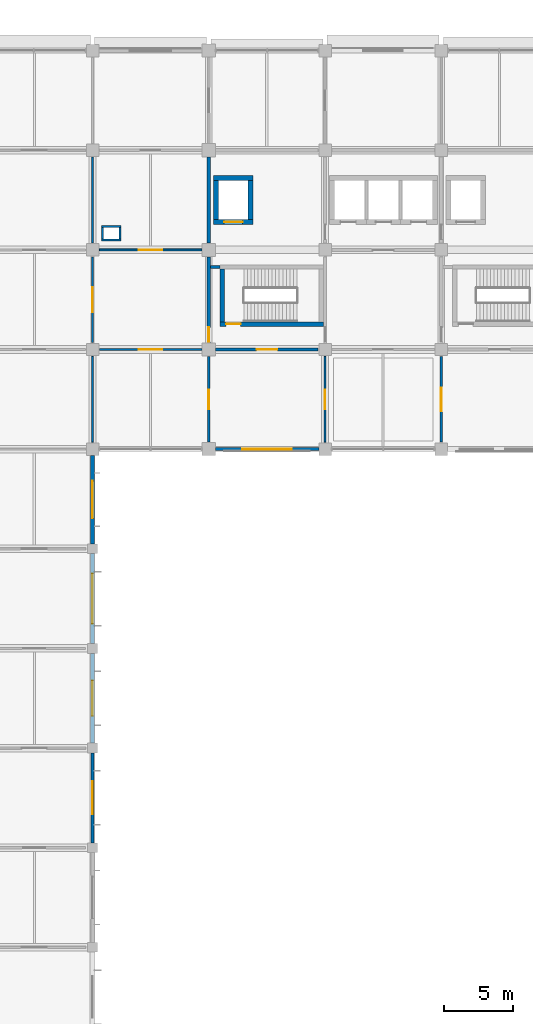
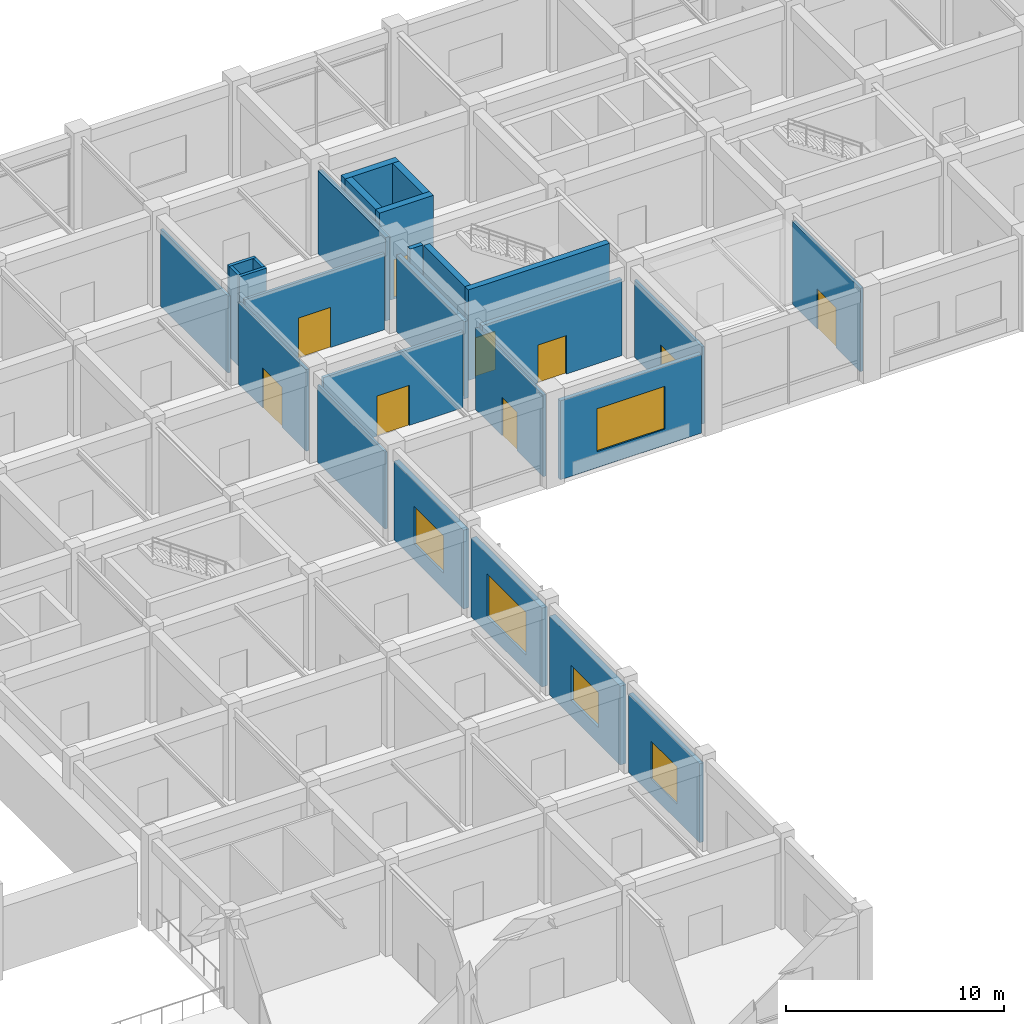
# One storey, part 23 of 41: 27 walls, 10 doors, 5 windows, 15 openings.
"""IFC4 building model written with IfcOpenShell, lengths in metres."""

from ifc_helpers import new_model, si_unit, derived_unit, direction, frame, frame_2d, origin, place, context, subcontext, project, spatial, rectangle, extrude, material, layer, layer_set, type_object, element, fill, save


model = new_model("IFC4")

# Units and contexts
model_context = context("Model", 3, precision=1e-05, world=origin(), true_north=direction((0.0, 1.0)))
body_context = subcontext(model_context, "Body", "Model", "MODEL_VIEW")
ifc_project = project(units=[si_unit("LENGTHUNIT", "METRE"), si_unit("AREAUNIT", "SQUARE_METRE"), si_unit("VOLUMEUNIT", "CUBIC_METRE"), si_unit("PLANEANGLEUNIT", "RADIAN"), si_unit("MASSUNIT", "GRAM", prefix="KILO"), derived_unit("THERMALTRANSMITTANCEUNIT", [(si_unit("MASSUNIT", "GRAM", prefix="KILO"), 1), (si_unit("TIMEUNIT", "SECOND"), -3), (si_unit("THERMODYNAMICTEMPERATUREUNIT", "KELVIN"), -1)])], contexts=[model_context])

# Site, building, storey
site_placement = place(None, origin())
site = spatial("IfcSite", under=ifc_project, at=site_placement, CompositionType="ELEMENT")
building_placement = place(site_placement, origin())
building = spatial("IfcBuilding", under=site, at=building_placement, Name="Veldstrom Oceanarium and Marine Research Institute", CompositionType="ELEMENT")
storey_placement = place(building_placement, frame((0.0, 0.0, 6.0)))
storey = spatial("IfcBuildingStorey", under=building, at=storey_placement, Name="L01", CompositionType="ELEMENT", Elevation=6.0)

# Wall, opening, window
ifc_material_1 = material(Name="Masonry Cavity Wall", Category="masonry")
ifc_layer_1 = layer(ifc_material_1, 0.31005859375)
ifc_layer_set_1 = layer_set([ifc_layer_1], Name="ARC-WAL-EW1")
wall_type_1 = type_object("IfcWallType", Name="ARC-WAL-EW1", PredefinedType="SOLIDWALL", material=ifc_layer_set_1)
wall_1_placement = place(storey_placement, frame((67.199951171875, 21.949951171875, 0.0), z_axis=(0.0, 0.0, 1.0), x_axis=(0.0, 1.0, 0.0)))
wall_1 = element("IfcWall", 1, at=wall_1_placement, inside=storey, type_object=wall_type_1, Name="Exterior Facade Wall EW1 L01-087", PredefinedType="SOLIDWALL", context=body_context, shape_type="SweptSolid", body=[
    extrude(rectangle(XDim=6.5, YDim=0.31005859375, at=frame_2d((3.25, 0.0))), origin(), (0.0, 0.0, 1.0), 4.419921875),
])
opening_1_placement = place(wall_1_placement, frame((1.97509765625, 0.0, 0.89990234375)))
opening_1 = element("IfcOpeningElement", 2, at=opening_1_placement, cuts=wall_1, Name="Opening W20", PredefinedType="OPENING", context=body_context, shape_type="SweptSolid", body=[
    extrude(rectangle(XDim=2.550048828125, YDim=1.949951171875, at=frame_2d((1.27490234375, 0.97509765625))), frame((0.0, 0.1650390625, 0.0), z_axis=(0.0, -1.0, 0.0), x_axis=(1.0, 0.0, 0.0)), (0.0, 0.0, 1.0), 0.330078125),
])
ifc_material_2 = material(Name="Double Glazed Low-E IGU", Category="glass")
window_type_1 = type_object("IfcWindowType", Name="ARC-WIN-W20", PartitioningType="SINGLE_PANEL", PredefinedType="WINDOW", material=ifc_material_2)
window_1_placement = place(opening_1_placement, origin())
window_1 = element("IfcWindow", 3, at=window_1_placement, inside=storey, type_object=window_type_1, Name="Facade Window W20 L01-0056", OverallHeight=1.949951171875, OverallWidth=2.550048828125, PartitioningType="SINGLE_PANEL", PredefinedType="WINDOW", context=body_context, shape_type="SweptSolid", body=[
    extrude(rectangle(XDim=2.550048828125, YDim=1.949951171875, at=frame_2d((1.27490234375, 0.97509765625))), frame((0.0, 0.030029296875, 0.0), z_axis=(0.0, -1.0, 0.0), x_axis=(1.0, 0.0, 0.0)), (0.0, 0.0, 1.0), 0.06005859375),
])
fill(opening_1, window_1)

ifc_material_3 = material(Name="Masonry Cavity Wall", Category="masonry")
ifc_layer_2 = layer(ifc_material_3, 0.2900390625)
ifc_layer_set_2 = layer_set([ifc_layer_2], Name="ARC-WAL-EW2")
wall_type_2 = type_object("IfcWallType", Name="ARC-WAL-EW2", PredefinedType="SOLIDWALL", material=ifc_layer_set_2)
wall_2_placement = place(storey_placement, frame((67.199951171875, 29.14990234375, 0.0), z_axis=(0.0, 0.0, 1.0), x_axis=(0.0, 1.0, 0.0)))
wall_2 = element("IfcWall", 4, at=wall_2_placement, inside=storey, type_object=wall_type_2, Name="Exterior Facade Wall EW2 L01-088", PredefinedType="SOLIDWALL", context=body_context, shape_type="SweptSolid", body=[
    extrude(rectangle(XDim=6.5, YDim=0.2900390625, at=frame_2d((3.25, 0.0))), origin(), (0.0, 0.0, 1.0), 4.419921875),
])
opening_2_placement = place(wall_2_placement, frame((1.449951171875, 0.0, 0.89990234375)))
opening_2 = element("IfcOpeningElement", 5, at=opening_2_placement, cuts=wall_2, Name="Opening W11", PredefinedType="OPENING", context=body_context, shape_type="SweptSolid", body=[
    extrude(rectangle(XDim=3.60009765625, YDim=2.39990234375, at=frame_2d((1.800048828125, 1.199951171875))), frame((0.0, 0.155029296875, 0.0), z_axis=(0.0, -1.0, 0.0), x_axis=(1.0, 0.0, 0.0)), (0.0, 0.0, 1.0), 0.31005859375),
])
ifc_material_4 = material(Name="Double Glazed Low-E IGU", Category="glass")
window_type_2 = type_object("IfcWindowType", Name="ARC-WIN-W11", PartitioningType="SINGLE_PANEL", PredefinedType="WINDOW", material=ifc_material_4)
window_2_placement = place(opening_2_placement, origin())
window_2 = element("IfcWindow", 6, at=window_2_placement, inside=storey, type_object=window_type_2, Name="Facade Window W11 L01-0057", OverallHeight=2.39990234375, OverallWidth=3.60009765625, PartitioningType="SINGLE_PANEL", PredefinedType="WINDOW", context=body_context, shape_type="SweptSolid", body=[
    extrude(rectangle(XDim=3.60009765625, YDim=2.39990234375, at=frame_2d((1.800048828125, 1.199951171875))), frame((0.0, 0.030029296875, 0.0), z_axis=(0.0, -1.0, 0.0), x_axis=(1.0, 0.0, 0.0)), (0.0, 0.0, 1.0), 0.06005859375),
])
fill(opening_2, window_2)

ifc_material_5 = material(Name="Masonry Cavity Wall", Category="masonry")
ifc_layer_3 = layer(ifc_material_5, 0.27001953125)
ifc_layer_set_3 = layer_set([ifc_layer_3], Name="ARC-WAL-EW3")
wall_type_3 = type_object("IfcWallType", Name="ARC-WAL-EW3", PredefinedType="SOLIDWALL", material=ifc_layer_set_3)
wall_3_placement = place(storey_placement, frame((67.199951171875, 36.35009765625, 0.0), z_axis=(0.0, 0.0, 1.0), x_axis=(0.0, 1.0, 0.0)))
wall_3 = element("IfcWall", 7, at=wall_3_placement, inside=storey, type_object=wall_type_3, Name="Exterior Facade Wall EW3 L01-089", PredefinedType="SOLIDWALL", context=body_context, shape_type="SweptSolid", body=[
    extrude(rectangle(XDim=6.39990234375, YDim=0.27001953125, at=frame_2d((3.199951171875, 0.0))), origin(), (0.0, 0.0, 1.0), 4.419921875),
])
opening_3_placement = place(wall_3_placement, frame((1.85009765625, 0.0, 0.89990234375)))
opening_3 = element("IfcOpeningElement", 8, at=opening_3_placement, cuts=wall_3, Name="Opening W08", PredefinedType="OPENING", context=body_context, shape_type="SweptSolid", body=[
    extrude(rectangle(XDim=2.699951171875, YDim=2.10009765625, at=frame_2d((1.35009765625, 1.050048828125))), frame((0.0, 0.14501953125, 0.0), z_axis=(0.0, -1.0, 0.0), x_axis=(1.0, 0.0, 0.0)), (0.0, 0.0, 1.0), 0.2900390625),
])
ifc_material_6 = material(Name="Double Glazed Low-E IGU", Category="glass")
window_type_3 = type_object("IfcWindowType", Name="ARC-WIN-W08", PartitioningType="SINGLE_PANEL", PredefinedType="WINDOW", material=ifc_material_6)
window_3_placement = place(opening_3_placement, origin())
window_3 = element("IfcWindow", 9, at=window_3_placement, inside=storey, type_object=window_type_3, Name="Facade Window W08 L01-0058", OverallHeight=2.10009765625, OverallWidth=2.699951171875, PartitioningType="SINGLE_PANEL", PredefinedType="WINDOW", context=body_context, shape_type="SweptSolid", body=[
    extrude(rectangle(XDim=2.699951171875, YDim=2.10009765625, at=frame_2d((1.35009765625, 1.050048828125))), frame((0.0, 0.030029296875, 0.0), z_axis=(0.0, -1.0, 0.0), x_axis=(1.0, 0.0, 0.0)), (0.0, 0.0, 1.0), 0.06005859375),
])
fill(opening_3, window_3)

ifc_material_7 = material(Name="Masonry Cavity Wall", Category="masonry")
ifc_layer_4 = layer(ifc_material_7, 0.215087890625)
ifc_layer_set_4 = layer_set([ifc_layer_4], Name="ARC-WAL-EW6")
wall_type_4 = type_object("IfcWallType", Name="ARC-WAL-EW6", PredefinedType="SOLIDWALL", material=ifc_layer_set_4)
wall_4_placement = place(storey_placement, frame((67.199951171875, 14.75, 0.0), z_axis=(0.0, 0.0, 1.0), x_axis=(0.0, 1.0, 0.0)))
wall_4 = element("IfcWall", 10, at=wall_4_placement, inside=storey, type_object=wall_type_4, Name="Exterior Facade Wall EW6 L01-086", PredefinedType="SOLIDWALL", context=body_context, shape_type="SweptSolid", body=[
    extrude(rectangle(XDim=6.5, YDim=0.215087890625, at=frame_2d((3.25, 0.0))), origin(), (0.0, 0.0, 1.0), 4.419921875),
])
opening_4_placement = place(wall_4_placement, frame((2.050048828125, 0.0, 0.89990234375)))
opening_4 = element("IfcOpeningElement", 11, at=opening_4_placement, cuts=wall_4, Name="Opening W09", PredefinedType="OPENING", context=body_context, shape_type="SweptSolid", body=[
    extrude(rectangle(XDim=2.39990234375, YDim=2.10009765625, at=frame_2d((1.199951171875, 1.050048828125))), frame((0.0, 0.117431640625, 0.0), z_axis=(0.0, -1.0, 0.0), x_axis=(1.0, 0.0, 0.0)), (0.0, 0.0, 1.0), 0.235107421875),
])
ifc_material_8 = material(Name="Double Glazed Low-E IGU", Category="glass")
window_type_4 = type_object("IfcWindowType", Name="ARC-WIN-W09", PartitioningType="SINGLE_PANEL", PredefinedType="WINDOW", material=ifc_material_8)
window_4_placement = place(opening_4_placement, origin())
window_4 = element("IfcWindow", 12, at=window_4_placement, inside=storey, type_object=window_type_4, Name="Facade Window W09 L01-0055", OverallHeight=2.10009765625, OverallWidth=2.39990234375, PartitioningType="SINGLE_PANEL", PredefinedType="WINDOW", context=body_context, shape_type="SweptSolid", body=[
    extrude(rectangle(XDim=2.39990234375, YDim=2.10009765625, at=frame_2d((1.199951171875, 1.050048828125))), frame((0.0, 0.030029296875, 0.0), z_axis=(0.0, -1.0, 0.0), x_axis=(1.0, 0.0, 0.0)), (0.0, 0.0, 1.0), 0.06005859375),
])
fill(opening_4, window_4)

wall_5_placement = place(storey_placement, frame((76.074951171875, 43.199951171875, 0.0), z_axis=(0.0, 0.0, 1.0), x_axis=(1.0, 0.0, 0.0)))
wall_5 = element("IfcWall", 13, at=wall_5_placement, inside=storey, type_object=wall_type_4, Name="Exterior Facade Wall EW6 L01-091", PredefinedType="SOLIDWALL", context=body_context, shape_type="SweptSolid", body=[
    extrude(rectangle(XDim=7.47509765625, YDim=0.215087890625, at=frame_2d((3.737548828125, 0.0))), origin(), (0.0, 0.0, 1.0), 4.419921875),
])
opening_5_placement = place(wall_5_placement, frame((1.9375, 0.0, 0.89990234375)))
opening_5 = element("IfcOpeningElement", 14, at=opening_5_placement, cuts=wall_5, Name="Opening W11", PredefinedType="OPENING", context=body_context, shape_type="SweptSolid", body=[
    extrude(rectangle(XDim=3.60009765625, YDim=2.39990234375, at=frame_2d((1.800048828125, 1.199951171875))), frame((0.0, 0.117431640625, 0.0), z_axis=(0.0, -1.0, 0.0), x_axis=(1.0, 0.0, 0.0)), (0.0, 0.0, 1.0), 0.235107421875),
])
window_5_placement = place(opening_5_placement, origin())
window_5 = element("IfcWindow", 15, at=window_5_placement, inside=storey, type_object=window_type_2, Name="Facade Window W11 L01-0060", OverallHeight=2.39990234375, OverallWidth=3.60009765625, PartitioningType="SINGLE_PANEL", PredefinedType="WINDOW", context=body_context, shape_type="SweptSolid", body=[
    extrude(rectangle(XDim=3.60009765625, YDim=2.39990234375, at=frame_2d((1.800048828125, 1.199951171875))), frame((0.0, 0.030029296875, 0.0), z_axis=(0.0, -1.0, 0.0), x_axis=(1.0, 0.0, 0.0)), (0.0, 0.0, 1.0), 0.06005859375),
])
fill(opening_5, window_5)

# Wall, opening, door
ifc_material_9 = material(Name="Masonry Fire Compartment Wall", Category="masonry")
ifc_layer_5 = layer(ifc_material_9, 0.22998046875)
ifc_layer_set_5 = layer_set([ifc_layer_5], Name="ARC-WAL-PT1")
wall_type_5 = type_object("IfcWallType", Name="ARC-WAL-PT1", PredefinedType="PARTITIONING", material=ifc_layer_set_5)
wall_6_placement = place(storey_placement, frame((75.60009765625, 50.89990234375, 0.0), z_axis=(0.0, 0.0, 1.0), x_axis=(0.0, 1.0, 0.0)))
wall_6 = element("IfcWall", 16, at=wall_6_placement, inside=storey, type_object=wall_type_5, Name="Interior Partition PT1 L01-0945", PredefinedType="PARTITIONING", context=body_context, shape_type="SweptSolid", body=[
    extrude(rectangle(XDim=6.2001953125, YDim=0.22998046875, at=frame_2d((3.10009765625, 0.0))), origin(), (0.0, 0.0, 1.0), 4.320068359375),
])
opening_6_placement = place(wall_6_placement, frame((0.050048828125, 0.0, 0.0)))
opening_6 = element("IfcOpeningElement", 17, at=opening_6_placement, cuts=wall_6, Name="Opening D-L01-547", PredefinedType="OPENING", context=body_context, shape_type="SweptSolid", body=[
    extrude(rectangle(XDim=1.050048828125, YDim=2.14990234375, at=frame_2d((0.52490234375, 1.074951171875))), frame((0.0, 0.125, 0.0), z_axis=(0.0, -1.0, 0.0), x_axis=(1.0, 0.0, 0.0)), (0.0, 0.0, 1.0), 0.25),
])
ifc_material_10 = material(Name="Painted Steel Fire Door", Category="steel")
door_type_1 = type_object("IfcDoorType", Name="ARC-DOR-SD1", OperationType="SINGLE_SWING_LEFT", PredefinedType="DOOR", material=ifc_material_10)
door_1_placement = place(opening_6_placement, origin())
door_1 = element("IfcDoor", 18, at=door_1_placement, inside=storey, type_object=door_type_1, Name="Interior Door D-L01-547", OperationType="SINGLE_SWING_LEFT", OverallHeight=2.14990234375, OverallWidth=1.050048828125, PredefinedType="DOOR", context=body_context, shape_type="SweptSolid", body=[
    extrude(rectangle(XDim=1.050048828125, YDim=2.14990234375, at=frame_2d((0.52490234375, 1.074951171875))), frame((0.0, 0.02490234375, 0.0), z_axis=(0.0, -1.0, 0.0), x_axis=(1.0, 0.0, 0.0)), (0.0, 0.0, 1.0), 0.050048828125),
])
fill(opening_6, door_1)

# Wall
wall_7_placement = place(storey_placement, frame((75.60009765625, 58.10009765625, 0.0), z_axis=(0.0, 0.0, 1.0), x_axis=(0.0, 1.0, 0.0)))
element("IfcWall", 19, at=wall_7_placement, inside=storey, type_object=wall_type_5, Name="Interior Partition PT1 L01-0947", PredefinedType="PARTITIONING", context=body_context, shape_type="SweptSolid", body=[
    extrude(rectangle(XDim=6.199951171875, YDim=0.22998046875, at=frame_2d((3.10009765625, 0.0))), origin(), (0.0, 0.0, 1.0), 4.669921875),
])

# Wall, opening, door
wall_8_placement = place(storey_placement, frame((76.10009765625, 50.39990234375, 0.0), z_axis=(0.0, 0.0, 1.0), x_axis=(1.0, 0.0, 0.0)))
wall_8 = element("IfcWall", 20, at=wall_8_placement, inside=storey, type_object=wall_type_5, Name="Interior Partition PT1 L01-0951", PredefinedType="PARTITIONING", context=body_context, shape_type="SweptSolid", body=[
    extrude(rectangle(XDim=7.39990234375, YDim=0.22998046875, at=frame_2d((3.699951171875, 0.0))), origin(), (0.0, 0.0, 1.0), 4.27001953125),
])
opening_7_placement = place(wall_8_placement, frame((2.949951171875, 0.0, 0.0)))
opening_7 = element("IfcOpeningElement", 21, at=opening_7_placement, cuts=wall_8, Name="Opening D-L01-552", PredefinedType="OPENING", context=body_context, shape_type="SweptSolid", body=[
    extrude(rectangle(XDim=1.5, YDim=2.14990234375, at=frame_2d((0.75, 1.074951171875))), frame((0.0, 0.125, 0.0), z_axis=(0.0, -1.0, 0.0), x_axis=(1.0, 0.0, 0.0)), (0.0, 0.0, 1.0), 0.25),
])
ifc_material_11 = material(Name="Painted Steel Lobby Fire Door", Category="steel")
door_type_2 = type_object("IfcDoorType", Name="ARC-DOR-SD2", OperationType="DOUBLE_DOOR_SINGLE_SWING", PredefinedType="DOOR", material=ifc_material_11)
door_2_placement = place(opening_7_placement, frame((1.5, 0.0, 0.0), z_axis=(0.0, 0.0, 1.0), x_axis=(-1.0, 0.0, 0.0)))
door_2 = element("IfcDoor", 22, at=door_2_placement, inside=storey, type_object=door_type_2, Name="Interior Door D-L01-552", OperationType="DOUBLE_DOOR_SINGLE_SWING", OverallHeight=2.14990234375, OverallWidth=1.5, PredefinedType="DOOR", context=body_context, shape_type="SweptSolid", body=[
    extrude(rectangle(XDim=1.5, YDim=2.14990234375, at=frame_2d((0.75, 1.074951171875))), frame((0.0, 0.02490234375, 0.0), z_axis=(0.0, -1.0, 0.0), x_axis=(1.0, 0.0, 0.0)), (0.0, 0.0, 1.0), 0.050048828125),
])
fill(opening_7, door_2)

# Wall
wall_9_placement = place(storey_placement, frame((75.719970703125, 56.360107421875, 0.0), z_axis=(0.0, 0.0, 1.0), x_axis=(1.0, 0.0, 0.0)))
element("IfcWall", 23, at=wall_9_placement, inside=storey, type_object=wall_type_5, Name="Interior Partition PT1 L01-0953", PredefinedType="PARTITIONING", context=body_context, shape_type="SweptSolid", body=[
    extrude(rectangle(XDim=0.679931640625, YDim=0.22998046875, at=frame_2d((0.33984375, 0.0))), origin(), (0.0, 0.0, 1.0), 5.074951171875),
])

# Wall, opening, door
ifc_material_12 = material(Name="Drywall Corridor Partition", Category="gypsum")
ifc_layer_6 = layer(ifc_material_12, 0.155029296875)
ifc_layer_set_6 = layer_set([ifc_layer_6], Name="ARC-WAL-PT4")
wall_type_6 = type_object("IfcWallType", Name="ARC-WAL-PT4", PredefinedType="PARTITIONING", material=ifc_layer_set_6)
wall_10_placement = place(storey_placement, frame((67.199951171875, 50.89990234375, 0.0), z_axis=(0.0, 0.0, 1.0), x_axis=(0.0, 1.0, 0.0)))
wall_10 = element("IfcWall", 24, at=wall_10_placement, inside=storey, type_object=wall_type_6, Name="Interior Partition PT4 L01-0938", PredefinedType="PARTITIONING", context=body_context, shape_type="SweptSolid", body=[
    extrude(rectangle(XDim=6.2001953125, YDim=0.155029296875, at=frame_2d((3.10009765625, 0.0))), origin(), (0.0, 0.0, 1.0), 4.570068359375),
])
opening_8_placement = place(wall_10_placement, frame((2.199951171875, 0.0, 0.0)))
opening_8 = element("IfcOpeningElement", 25, at=opening_8_placement, cuts=wall_10, Name="Opening D-L01-542", PredefinedType="OPENING", context=body_context, shape_type="SweptSolid", body=[
    extrude(rectangle(XDim=1.800048828125, YDim=2.25, at=frame_2d((0.89990234375, 1.125))), frame((0.0, 0.08740234375, 0.0), z_axis=(0.0, -1.0, 0.0), x_axis=(1.0, 0.0, 0.0)), (0.0, 0.0, 1.0), 0.175048828125),
])
ifc_material_13 = material(Name="Acoustic Timber Gallery Door", Category="wood")
door_type_3 = type_object("IfcDoorType", Name="ARC-DOR-ID01", OperationType="DOUBLE_DOOR_SINGLE_SWING", PredefinedType="DOOR", material=ifc_material_13)
door_3_placement = place(opening_8_placement, origin())
door_3 = element("IfcDoor", 26, at=door_3_placement, inside=storey, type_object=door_type_3, Name="Interior Door D-L01-542", OperationType="DOUBLE_DOOR_SINGLE_SWING", OverallHeight=2.25, OverallWidth=1.800048828125, PredefinedType="DOOR", context=body_context, shape_type="SweptSolid", body=[
    extrude(rectangle(XDim=1.800048828125, YDim=2.25, at=frame_2d((0.89990234375, 1.125))), frame((0.0, 0.02490234375, 0.0), z_axis=(0.0, -1.0, 0.0), x_axis=(1.0, 0.0, 0.0)), (0.0, 0.0, 1.0), 0.050048828125),
])
fill(opening_8, door_3)

wall_11_placement = place(storey_placement, frame((75.60009765625, 43.699951171875, 0.0), z_axis=(0.0, 0.0, 1.0), x_axis=(0.0, 1.0, 0.0)))
wall_11 = element("IfcWall", 27, at=wall_11_placement, inside=storey, type_object=wall_type_6, Name="Interior Partition PT4 L01-0943", PredefinedType="PARTITIONING", context=body_context, shape_type="SweptSolid", body=[
    extrude(rectangle(XDim=6.199951171875, YDim=0.155029296875, at=frame_2d((3.10009765625, 0.0))), origin(), (0.0, 0.0, 1.0), 4.570068359375),
])
opening_9_placement = place(wall_11_placement, frame((2.39990234375, 0.0, 0.0)))
opening_9 = element("IfcOpeningElement", 28, at=opening_9_placement, cuts=wall_11, Name="Opening D-L01-545", PredefinedType="OPENING", context=body_context, shape_type="SweptSolid", body=[
    extrude(rectangle(XDim=1.39990234375, YDim=2.14990234375, at=frame_2d((0.699951171875, 1.074951171875))), frame((0.0, 0.08740234375, 0.0), z_axis=(0.0, -1.0, 0.0), x_axis=(1.0, 0.0, 0.0)), (0.0, 0.0, 1.0), 0.175048828125),
])
ifc_material_14 = material(Name="Education Classroom Door", Category="timber")
door_type_4 = type_object("IfcDoorType", Name="ARC-DOR-ID04", OperationType="DOUBLE_DOOR_SINGLE_SWING", PredefinedType="DOOR", material=ifc_material_14)
door_4_placement = place(opening_9_placement, origin())
door_4 = element("IfcDoor", 29, at=door_4_placement, inside=storey, type_object=door_type_4, Name="Interior Door D-L01-545", OperationType="DOUBLE_DOOR_SINGLE_SWING", OverallHeight=2.14990234375, OverallWidth=1.39990234375, PredefinedType="DOOR", context=body_context, shape_type="SweptSolid", body=[
    extrude(rectangle(XDim=1.39990234375, YDim=2.14990234375, at=frame_2d((0.699951171875, 1.074951171875))), frame((0.0, 0.02490234375, 0.0), z_axis=(0.0, -1.0, 0.0), x_axis=(1.0, 0.0, 0.0)), (0.0, 0.0, 1.0), 0.050048828125),
])
fill(opening_9, door_4)

wall_12_placement = place(storey_placement, frame((67.699951171875, 50.39990234375, 0.0), z_axis=(0.0, 0.0, 1.0), x_axis=(1.0, 0.0, 0.0)))
wall_12 = element("IfcWall", 30, at=wall_12_placement, inside=storey, type_object=wall_type_6, Name="Interior Partition PT4 L01-0944", PredefinedType="PARTITIONING", context=body_context, shape_type="SweptSolid", body=[
    extrude(rectangle(XDim=7.400146484375, YDim=0.155029296875, at=frame_2d((3.7001953125, 0.0))), origin(), (0.0, 0.0, 1.0), 4.27001953125),
])
opening_10_placement = place(wall_12_placement, frame((2.85009765625, 0.0, 0.0)))
opening_10 = element("IfcOpeningElement", 31, at=opening_10_placement, cuts=wall_12, Name="Opening D-L01-546", PredefinedType="OPENING", context=body_context, shape_type="SweptSolid", body=[
    extrude(rectangle(XDim=1.699951171875, YDim=2.25, at=frame_2d((0.85009765625, 1.125))), frame((0.0, 0.08740234375, 0.0), z_axis=(0.0, -1.0, 0.0), x_axis=(1.0, 0.0, 0.0)), (0.0, 0.0, 1.0), 0.175048828125),
])
ifc_material_15 = material(Name="Symposium Auditorium Door", Category="timber")
door_type_5 = type_object("IfcDoorType", Name="ARC-DOR-ID13", OperationType="DOUBLE_DOOR_SINGLE_SWING", PredefinedType="DOOR", material=ifc_material_15)
door_5_placement = place(opening_10_placement, frame((1.699951171875, 0.0, 0.0), z_axis=(0.0, 0.0, 1.0), x_axis=(-1.0, 0.0, 0.0)))
door_5 = element("IfcDoor", 32, at=door_5_placement, inside=storey, type_object=door_type_5, Name="Interior Door D-L01-546", OperationType="DOUBLE_DOOR_SINGLE_SWING", OverallHeight=2.25, OverallWidth=1.699951171875, PredefinedType="DOOR", context=body_context, shape_type="SweptSolid", body=[
    extrude(rectangle(XDim=1.699951171875, YDim=2.25, at=frame_2d((0.85009765625, 1.125))), frame((0.0, 0.02490234375, 0.0), z_axis=(0.0, -1.0, 0.0), x_axis=(1.0, 0.0, 0.0)), (0.0, 0.0, 1.0), 0.050048828125),
])
fill(opening_10, door_5)

wall_13_placement = place(storey_placement, frame((92.39990234375, 43.699951171875, 0.0), z_axis=(0.0, 0.0, 1.0), x_axis=(0.0, 1.0, 0.0)))
wall_13 = element("IfcWall", 33, at=wall_13_placement, inside=storey, type_object=wall_type_6, Name="Interior Partition PT4 L01-0957", PredefinedType="PARTITIONING", context=body_context, shape_type="SweptSolid", body=[
    extrude(rectangle(XDim=6.199951171875, YDim=0.155029296875, at=frame_2d((3.10009765625, 0.0))), origin(), (0.0, 0.0, 1.0), 4.669921875),
])
opening_11_placement = place(wall_13_placement, frame((2.25, 0.0, 0.0)))
opening_11 = element("IfcOpeningElement", 34, at=opening_11_placement, cuts=wall_13, Name="Opening D-L01-556", PredefinedType="OPENING", context=body_context, shape_type="SweptSolid", body=[
    extrude(rectangle(XDim=1.699951171875, YDim=2.25, at=frame_2d((0.85009765625, 1.125))), frame((0.0, 0.08740234375, 0.0), z_axis=(0.0, -1.0, 0.0), x_axis=(1.0, 0.0, 0.0)), (0.0, 0.0, 1.0), 0.175048828125),
])
door_6_placement = place(opening_11_placement, origin())
door_6 = element("IfcDoor", 35, at=door_6_placement, inside=storey, type_object=door_type_5, Name="Interior Door D-L01-556", OperationType="DOUBLE_DOOR_SINGLE_SWING", OverallHeight=2.25, OverallWidth=1.699951171875, PredefinedType="DOOR", context=body_context, shape_type="SweptSolid", body=[
    extrude(rectangle(XDim=1.699951171875, YDim=2.25, at=frame_2d((0.85009765625, 1.125))), frame((0.0, 0.02490234375, 0.0), z_axis=(0.0, -1.0, 0.0), x_axis=(1.0, 0.0, 0.0)), (0.0, 0.0, 1.0), 0.050048828125),
])
fill(opening_11, door_6)

ifc_material_16 = material(Name="Moisture-Resistant Wet-Area Partition", Category="masonry")
ifc_layer_7 = layer(ifc_material_16, 0.139892578125)
ifc_layer_set_7 = layer_set([ifc_layer_7], Name="ARC-WAL-PT5")
wall_type_7 = type_object("IfcWallType", Name="ARC-WAL-PT5", PredefinedType="PARTITIONING", material=ifc_layer_set_7)
wall_14_placement = place(storey_placement, frame((67.699951171875, 57.60009765625, 0.0), z_axis=(0.0, 0.0, 1.0), x_axis=(1.0, 0.0, 0.0)))
wall_14 = element("IfcWall", 36, at=wall_14_placement, inside=storey, type_object=wall_type_7, Name="Interior Partition PT5 L01-0946", PredefinedType="PARTITIONING", context=body_context, shape_type="SweptSolid", body=[
    extrude(rectangle(XDim=7.400146484375, YDim=0.139892578125, at=frame_2d((3.7001953125, 0.0))), origin(), (0.0, 0.0, 1.0), 4.27001953125),
])
opening_12_placement = place(wall_14_placement, frame((2.85009765625, 0.0, 0.0)))
opening_12 = element("IfcOpeningElement", 37, at=opening_12_placement, cuts=wall_14, Name="Opening D-L01-548", PredefinedType="OPENING", context=body_context, shape_type="SweptSolid", body=[
    extrude(rectangle(XDim=1.699951171875, YDim=2.25, at=frame_2d((0.85009765625, 1.125))), frame((0.0, 0.079833984375, 0.0), z_axis=(0.0, -1.0, 0.0), x_axis=(1.0, 0.0, 0.0)), (0.0, 0.0, 1.0), 0.159912109375),
])
door_7_placement = place(opening_12_placement, origin())
door_7 = element("IfcDoor", 38, at=door_7_placement, inside=storey, type_object=door_type_5, Name="Interior Door D-L01-548", OperationType="DOUBLE_DOOR_SINGLE_SWING", OverallHeight=2.25, OverallWidth=1.699951171875, PredefinedType="DOOR", context=body_context, shape_type="SweptSolid", body=[
    extrude(rectangle(XDim=1.699951171875, YDim=2.25, at=frame_2d((0.85009765625, 1.125))), frame((0.0, 0.02490234375, 0.0), z_axis=(0.0, -1.0, 0.0), x_axis=(1.0, 0.0, 0.0)), (0.0, 0.0, 1.0), 0.050048828125),
])
fill(opening_12, door_7)

wall_15_placement = place(storey_placement, frame((84.0, 43.699951171875, 0.0), z_axis=(0.0, 0.0, 1.0), x_axis=(0.0, 1.0, 0.0)))
wall_15 = element("IfcWall", 39, at=wall_15_placement, inside=storey, type_object=wall_type_7, Name="Interior Partition PT5 L01-0950", PredefinedType="PARTITIONING", context=body_context, shape_type="SweptSolid", body=[
    extrude(rectangle(XDim=6.199951171875, YDim=0.139892578125, at=frame_2d((3.10009765625, 0.0))), origin(), (0.0, 0.0, 1.0), 4.320068359375),
])
opening_13_placement = place(wall_15_placement, frame((2.39990234375, 0.0, 0.0)))
opening_13 = element("IfcOpeningElement", 40, at=opening_13_placement, cuts=wall_15, Name="Opening D-L01-551", PredefinedType="OPENING", context=body_context, shape_type="SweptSolid", body=[
    extrude(rectangle(XDim=1.39990234375, YDim=2.14990234375, at=frame_2d((0.699951171875, 1.074951171875))), frame((0.0, 0.079833984375, 0.0), z_axis=(0.0, -1.0, 0.0), x_axis=(1.0, 0.0, 0.0)), (0.0, 0.0, 1.0), 0.159912109375),
])
door_8_placement = place(opening_13_placement, frame((1.39990234375, 0.0, 0.0), z_axis=(0.0, 0.0, 1.0), x_axis=(-1.0, 0.0, 0.0)))
door_8 = element("IfcDoor", 41, at=door_8_placement, inside=storey, type_object=door_type_4, Name="Interior Door D-L01-551", OperationType="DOUBLE_DOOR_SINGLE_SWING", OverallHeight=2.14990234375, OverallWidth=1.39990234375, PredefinedType="DOOR", context=body_context, shape_type="SweptSolid", body=[
    extrude(rectangle(XDim=1.39990234375, YDim=2.14990234375, at=frame_2d((0.699951171875, 1.074951171875))), frame((0.0, 0.02490234375, 0.0), z_axis=(0.0, -1.0, 0.0), x_axis=(1.0, 0.0, 0.0)), (0.0, 0.0, 1.0), 0.050048828125),
])
fill(opening_13, door_8)

# Walls
ifc_material_17 = material(Name="Lightweight Studio Partition", Category="gypsum")
ifc_layer_8 = layer(ifc_material_17, 0.1201171875)
ifc_layer_set_8 = layer_set([ifc_layer_8], Name="ARC-WAL-PT6")
wall_type_8 = type_object("IfcWallType", Name="ARC-WAL-PT6", PredefinedType="PARTITIONING", material=ifc_layer_set_8)
for number, where, z_axis, x_axis, name in (
    (42, (67.199951171875, 43.699951171875, 0.0), (0.0, 0.0, 1.0), (0.0, 1.0, 0.0), "Interior Partition PT6 L01-0936"),
    (43, (67.199951171875, 58.10009765625, 0.0), (0.0, 0.0, 1.0), (0.0, 1.0, 0.0), "Interior Partition PT6 L01-0940"),
):
    element("IfcWall", number, at=place(storey_placement, frame(where, z_axis=z_axis, x_axis=x_axis)), inside=storey, type_object=wall_type_8, Name=name, PredefinedType="PARTITIONING", context=body_context, shape_type="SweptSolid", body=[
        extrude(rectangle(XDim=6.199951171875, YDim=0.1201171875, at=frame_2d((3.10009765625, 0.0))), origin(), (0.0, 0.0, 1.0), 4.320068359375),
    ])
ifc_material_18 = material(Name="Service Riser Fire Shaft Wall", Category="masonry")
ifc_layer_9 = layer(ifc_material_18, 0.1650390625)
ifc_layer_set_9 = layer_set([ifc_layer_9], Name="ARC-WAL-PT9")
wall_type_9 = type_object("IfcWallType", Name="ARC-WAL-PT9", PredefinedType="PARTITIONING", material=ifc_layer_set_9)
for number, where, z_axis, x_axis, name in (
    (44, (67.8349609375, 58.3173828125, 0.0), (0.0, 0.0, 1.0), (1.0, 0.0, 0.0), "Service Riser Fire Shaft Wall L01-CW-S"),
    (45, (67.8349609375, 59.282470703125, 0.0), (0.0, 0.0, 1.0), (1.0, 0.0, 0.0), "Service Riser Fire Shaft Wall L01-CW-N"),
):
    element("IfcWall", number, at=place(storey_placement, frame(where, z_axis=z_axis, x_axis=x_axis)), inside=storey, type_object=wall_type_9, Name=name, PredefinedType="PARTITIONING", context=body_context, shape_type="SweptSolid", body=[
        extrude(rectangle(XDim=1.429931640625, YDim=0.1650390625, at=frame_2d((0.71484375, 0.0))), origin(), (0.0, 0.0, 1.0), 5.074951171875),
    ])
for number, where, z_axis, x_axis, name in (
    (46, (67.91748046875, 58.39990234375, 0.0), (0.0, 0.0, 1.0), (0.0, 1.0, 0.0), "Service Riser Fire Shaft Wall L01-CW-W"),
    (47, (69.1826171875, 58.39990234375, 0.0), (0.0, 0.0, 1.0), (0.0, 1.0, 0.0), "Service Riser Fire Shaft Wall L01-CW-E"),
):
    element("IfcWall", number, at=place(storey_placement, frame(where, z_axis=z_axis, x_axis=x_axis)), inside=storey, type_object=wall_type_9, Name=name, PredefinedType="PARTITIONING", context=body_context, shape_type="SweptSolid", body=[
        extrude(rectangle(XDim=0.800048828125, YDim=0.1650390625, at=frame_2d((0.39990234375, 0.0))), origin(), (0.0, 0.0, 1.0), 5.074951171875),
    ])
ifc_material_19 = material(Name="Concrete C40/50", Category="concrete")
ifc_layer_10 = layer(ifc_material_19, 0.360107421875)
ifc_layer_set_10 = layer_set([ifc_layer_10], Name="STR-WAL-WC2")
wall_type_10 = type_object("IfcWallType", Name="STR-WAL-WC2", PredefinedType="SHEAR", material=ifc_layer_set_10)
wall_16_placement = place(storey_placement, frame((75.93994140625, 62.780029296875, 0.0), z_axis=(0.0, 0.0, 1.0), x_axis=(1.0, 0.0, 0.0)))
element("IfcWall", 48, at=wall_16_placement, inside=storey, type_object=wall_type_10, Name="Lift Shaft Shear Wall N L01 9/8", PredefinedType="SHEAR", context=body_context, shape_type="SweptSolid", body=[
    extrude(rectangle(XDim=2.8701171875, YDim=0.360107421875, at=frame_2d((1.43505859375, 0.0))), origin(), (0.0, 0.0, 1.0), 5.074951171875),
])

# Wall, opening, door
wall_17_placement = place(storey_placement, frame((75.93994140625, 59.6201171875, 0.0), z_axis=(0.0, 0.0, 1.0), x_axis=(1.0, 0.0, 0.0)))
wall_17 = element("IfcWall", 49, at=wall_17_placement, inside=storey, type_object=wall_type_10, Name="Lift Shaft Front Shear Wall LF1 L01", PredefinedType="SHEAR", context=body_context, shape_type="SweptSolid", body=[
    extrude(rectangle(XDim=2.8701171875, YDim=0.360107421875, at=frame_2d((1.43505859375, 0.0))), origin(), (0.0, 0.0, 1.0), 5.074951171875),
])
opening_14_placement = place(wall_17_placement, frame((0.760009765625, 0.0, 0.0)))
opening_14 = element("IfcOpeningElement", 50, at=opening_14_placement, cuts=wall_17, Name="Opening LD-LF1-L01", PredefinedType="OPENING", context=body_context, shape_type="SweptSolid", body=[
    extrude(rectangle(XDim=1.35009765625, YDim=2.199951171875, at=frame_2d((0.675048828125, 1.10009765625))), frame((0.0, 0.18994140625, 0.0), z_axis=(0.0, -1.0, 0.0), x_axis=(1.0, 0.0, 0.0)), (0.0, 0.0, 1.0), 0.380126953125),
])
ifc_material_20 = material(Name="Stainless Steel Lift Landing Door", Category="steel")
door_type_6 = type_object("IfcDoorType", Name="ARC-DOR-LD3", OperationType="DOUBLE_DOOR_SLIDING", PredefinedType="DOOR", material=ifc_material_20)
door_9_placement = place(opening_14_placement, origin())
door_9 = element("IfcDoor", 51, at=door_9_placement, inside=storey, type_object=door_type_6, Name="Lift Landing Door LD-LF1-L01", OperationType="DOUBLE_DOOR_SLIDING", OverallHeight=2.199951171875, OverallWidth=1.35009765625, PredefinedType="DOOR", context=body_context, shape_type="SweptSolid", body=[
    extrude(rectangle(XDim=1.35009765625, YDim=2.199951171875, at=frame_2d((0.675048828125, 1.10009765625))), frame((0.0, 0.02490234375, 0.0), z_axis=(0.0, -1.0, 0.0), x_axis=(1.0, 0.0, 0.0)), (0.0, 0.0, 1.0), 0.050048828125),
])
fill(opening_14, door_9)

# Walls
for number, where, z_axis, x_axis, name in (
    (52, (76.1201171875, 59.800048828125, 0.0), (0.0, 0.0, 1.0), (0.0, 1.0, 0.0), "Lift Shaft Shear Wall W L01 9/8"),
    (53, (78.6298828125, 59.800048828125, 0.0), (0.0, 0.0, 1.0), (0.0, 1.0, 0.0), "Lift Shaft Shear Wall E L01 9/8"),
):
    element("IfcWall", number, at=place(storey_placement, frame(where, z_axis=z_axis, x_axis=x_axis)), inside=storey, type_object=wall_type_10, Name=name, PredefinedType="SHEAR", context=body_context, shape_type="SweptSolid", body=[
        extrude(rectangle(XDim=2.800048828125, YDim=0.360107421875, at=frame_2d((1.39990234375, 0.0))), origin(), (0.0, 0.0, 1.0), 5.074951171875),
    ])

# Wall, opening, door
ifc_material_21 = material(Name="Concrete C40/50", Category="concrete")
ifc_layer_11 = layer(ifc_material_21, 0.320068359375)
ifc_layer_set_11 = layer_set([ifc_layer_11], Name="STR-WAL-WC3")
wall_type_11 = type_object("IfcWallType", Name="STR-WAL-WC3", PredefinedType="SHEAR", material=ifc_layer_set_11)
wall_18_placement = place(storey_placement, frame((76.39990234375, 52.239990234375, 0.0), z_axis=(0.0, 0.0, 1.0), x_axis=(1.0, 0.0, 0.0)))
wall_18 = element("IfcWall", 54, at=wall_18_placement, inside=storey, type_object=wall_type_11, Name="Stair Core Shear Wall SC1-L01-S", PredefinedType="SHEAR", context=body_context, shape_type="SweptSolid", body=[
    extrude(rectangle(XDim=7.47998046875, YDim=0.320068359375, at=frame_2d((3.739990234375, 0.0))), origin(), (0.0, 0.0, 1.0), 5.074951171875),
])
opening_15_placement = place(wall_18_placement, frame((0.449951171875, 0.0, 0.0)))
opening_15 = element("IfcOpeningElement", 55, at=opening_15_placement, cuts=wall_18, Name="Opening D-ST1-L01", PredefinedType="OPENING", context=body_context, shape_type="SweptSolid", body=[
    extrude(rectangle(XDim=1.050048828125, YDim=2.14990234375, at=frame_2d((0.52490234375, 1.074951171875))), frame((0.0, 0.169921875, 0.0), z_axis=(0.0, -1.0, 0.0), x_axis=(1.0, 0.0, 0.0)), (0.0, 0.0, 1.0), 0.340087890625),
])
door_10_placement = place(opening_15_placement, origin())
door_10 = element("IfcDoor", 56, at=door_10_placement, inside=storey, type_object=door_type_1, Name="Escape Stair Fire Door D-ST1-L01", OperationType="SINGLE_SWING_LEFT", OverallHeight=2.14990234375, OverallWidth=1.050048828125, PredefinedType="DOOR", context=body_context, shape_type="SweptSolid", body=[
    extrude(rectangle(XDim=1.050048828125, YDim=2.14990234375, at=frame_2d((0.52490234375, 1.074951171875))), frame((0.0, 0.02490234375, 0.0), z_axis=(0.0, -1.0, 0.0), x_axis=(1.0, 0.0, 0.0)), (0.0, 0.0, 1.0), 0.050048828125),
])
fill(opening_15, door_10)

# Wall
wall_19_placement = place(storey_placement, frame((76.56005859375, 52.39990234375, 0.0), z_axis=(0.0, 0.0, 1.0), x_axis=(0.0, 1.0, 0.0)))
element("IfcWall", 57, at=wall_19_placement, inside=storey, type_object=wall_type_11, Name="Stair Core Shear Wall SC1-L01-W", PredefinedType="SHEAR", context=body_context, shape_type="SweptSolid", body=[
    extrude(rectangle(XDim=3.800048828125, YDim=0.320068359375, at=frame_2d((1.89990234375, 0.0))), origin(), (0.0, 0.0, 1.0), 5.074951171875),
])

save(model, "model.ifc")
